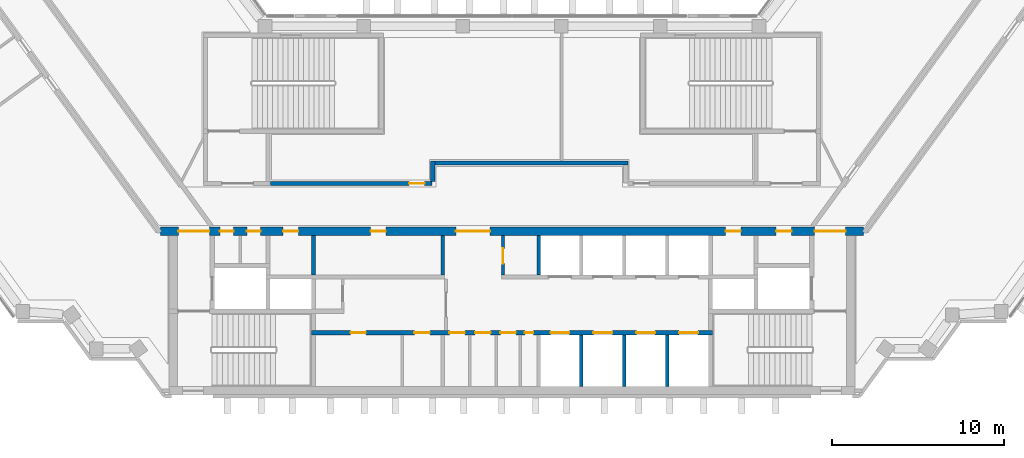
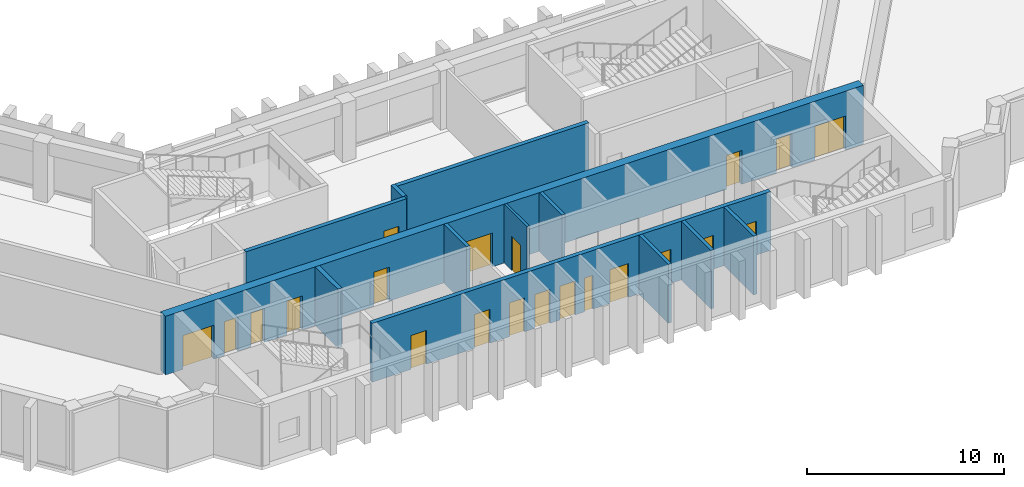
# One storey, part 5 of 10: 21 doors, 12 walls, 21 openings.
"""IFC4 building model written with IfcOpenShell, lengths in metres."""

import ifcopenshell
import ifcopenshell.guid

model = None  # the IFC model being written
_history = None  # IfcOwnerHistory: only IFC2X3 demands one
_inside = {}  # id of a spatial element -> (the spatial element, [elements in it])
_under = {}  # id of a project, library or spatial element -> (it, [spatial elements below it])
_declared = {}  # id of a project -> (the project, [libraries it declares])
_typed = {}  # id of a type object -> (the type object, [elements of that type])
_made_of = {}  # id of a material, layer set ... -> (it, [elements and type objects made of it])


def new_model(schema):
    """Start an empty IFC model of exactly this schema.

    Asked for "IFC4X3", IfcOpenShell would pick the latest addendum, in which some entities
    have other attributes; the version numbers below select the first issue.
    IFC2X3 requires an IfcOwnerHistory on every rooted entity: one is made here for all.
    """
    global model, _history
    if schema == "IFC4X3":
        model = ifcopenshell.file(schema_version=(4, 3, 0, 0))
    else:
        model = ifcopenshell.file(schema=schema)
    _inside.clear()
    _under.clear()
    _declared.clear()
    _typed.clear()
    _made_of.clear()
    _history = None
    if model.schema == "IFC2X3":
        org = make("IfcOrganization", Name="unknown")
        user = make(
            "IfcPersonAndOrganization",
            ThePerson=make("IfcPerson", FamilyName="unknown"),
            TheOrganization=org,
        )
        app = make(
            "IfcApplication",
            ApplicationDeveloper=org,
            Version="unknown",
            ApplicationFullName="unknown",
            ApplicationIdentifier="unknown",
        )
        _history = make(
            "IfcOwnerHistory",
            OwningUser=user,
            OwningApplication=app,
            ChangeAction="ADDED",
            CreationDate=0,
        )
    return model


def make(cls, **values):
    """One entity of the class cls with the attributes given. An attribute that is None is left unset."""
    return model.create_entity(
        cls, **{name: value for name, value in values.items() if value is not None}
    )


def rooted(cls, **values):
    """An entity with a GlobalId (a new one), such as an element, a storey or a relation."""
    return make(cls, GlobalId=ifcopenshell.guid.new(), OwnerHistory=_history, **values)


def si_unit(unit_type, name, prefix=None):
    """IfcSIUnit, for example si_unit("LENGTHUNIT", "METRE", prefix="MILLI")."""
    return make("IfcSIUnit", UnitType=unit_type, Prefix=prefix, Name=name)


def assignment(units):
    """IfcUnitAssignment: the units of a project."""
    return None if units is None else make("IfcUnitAssignment", Units=units)


def point(xyz):
    """IfcCartesianPoint."""
    return None if xyz is None else make("IfcCartesianPoint", Coordinates=xyz)


def direction(xyz):
    """IfcDirection."""
    return None if xyz is None else make("IfcDirection", DirectionRatios=xyz)


def frame(location, z_axis=None, x_axis=None):
    """IfcAxis2Placement3D, a coordinate frame: its origin and axes. An axis left out is left unset."""
    return make(
        "IfcAxis2Placement3D",
        Location=point(location),
        Axis=direction(z_axis),
        RefDirection=direction(x_axis),
    )


def frame_2d(location, x_axis=None):
    """IfcAxis2Placement2D, a coordinate frame in the plane: its origin and x axis."""
    return make(
        "IfcAxis2Placement2D", Location=point(location), RefDirection=direction(x_axis)
    )


def origin():
    """The frame at (0, 0, 0) with its axes left unset."""
    return frame((0.0, 0.0, 0.0))


def place(relative_to, where):
    """IfcLocalPlacement: puts the frame where relative to a parent placement (None: the world)."""
    return make(
        "IfcLocalPlacement", PlacementRelTo=relative_to, RelativePlacement=where
    )


def context(
    kind, dimensions, precision=None, world=None, true_north=None, identifier=None
):
    """IfcGeometricRepresentationContext, for example the 3D "Model" context."""
    return make(
        "IfcGeometricRepresentationContext",
        ContextIdentifier=identifier,
        ContextType=kind,
        CoordinateSpaceDimension=dimensions,
        Precision=precision,
        WorldCoordinateSystem=world,
        TrueNorth=true_north,
    )


def subcontext(parent, identifier, kind, view, scale=None):
    """IfcGeometricRepresentationSubContext, for example "Body" below "Model"."""
    return make(
        "IfcGeometricRepresentationSubContext",
        ContextIdentifier=identifier,
        ContextType=kind,
        ParentContext=parent,
        TargetScale=scale,
        TargetView=view,
    )


def project(units=None, contexts=None):
    """IfcProject with its units and contexts."""
    return rooted(
        "IfcProject",
        Name="project",
        RepresentationContexts=contexts,
        UnitsInContext=assignment(units),
    )


def spatial(cls, under=None, at=None, **own):
    """A site, building, storey or space (cls), placed at a placement, below another one or the project."""
    s = rooted(cls, ObjectPlacement=at, **own)
    if under is not None:
        _under.setdefault(under.id(), (under, []))[1].append(s)
    return s


def profile(cls, at=None, kind="AREA", **sizes):
    """A parametric profile (cls). Its sizes go by their IFC names, for example OverallWidth=200.0."""
    return make(cls, ProfileType=kind, Position=at, **sizes)


def rectangle(**sizes):
    """IfcRectangleProfileDef."""
    return profile("IfcRectangleProfileDef", **sizes)


def extrude(swept, where, along, depth):
    """IfcExtrudedAreaSolid: the profile swept, set in the frame where, extruded along a direction by depth."""
    return make(
        "IfcExtrudedAreaSolid",
        SweptArea=swept,
        Position=where,
        ExtrudedDirection=direction(along),
        Depth=depth,
    )


def shape(context_of_items, identifier, shape_type, items):
    """IfcShapeRepresentation: the items that make up one representation, for example the "Body"."""
    return make(
        "IfcShapeRepresentation",
        ContextOfItems=context_of_items,
        RepresentationIdentifier=identifier,
        RepresentationType=shape_type,
        Items=items,
    )


def material(Name=None, Category=None):
    """IfcMaterial."""
    return make("IfcMaterial", Name=Name, Category=Category)


def layer(
    of_material, thickness, ventilated=None, Name=None, Category=None, Priority=None
):
    """IfcMaterialLayer: one layer of a wall or slab, of a material (None: an air gap)."""
    return make(
        "IfcMaterialLayer",
        Material=of_material,
        LayerThickness=thickness,
        IsVentilated=ventilated,
        Name=Name,
        Category=Category,
        Priority=Priority,
    )


def layer_set(layers, Name=None):
    """IfcMaterialLayerSet."""
    return make("IfcMaterialLayerSet", MaterialLayers=layers, LayerSetName=Name)


def made_of(thing, what):
    """Note that an element or type object is made of a material, layer set ...; save() writes the relation."""
    if what is not None:
        _made_of.setdefault(what.id(), (what, []))[1].append(thing)
    return thing


def type_object(cls, material=None, **own):
    """A type object (cls), such as IfcWallType, which elements share."""
    return made_of(rooted(cls, **own), material)


def element(
    cls,
    number,
    at=None,
    inside=None,
    cuts=None,
    type_object=None,
    material=None,
    context=None,
    identifier="Body",
    shape_type=None,
    held_by="IfcProductDefinitionShape",
    body=None,
    shapes=None,
    **own,
):
    """One element of the class cls, such as IfcWall. Its Tag is "e" and its number.

    at: its placement. inside: the storey or other place that contains it. cuts: it is an
    opening in that element (IfcRelVoidsElement). A single representation is given by context,
    identifier, shape_type and body (its items); several are given by shapes. held_by: the class
    of the entity that holds the representations. save() writes the other relations.
    """
    e = rooted(cls, Tag="e%d" % number, ObjectPlacement=at, **own)
    if body is not None:
        shapes = [shape(context, identifier, shape_type, body)]
    if shapes is not None:
        e.Representation = make(held_by, Representations=shapes)
    if inside is not None:
        _inside.setdefault(inside.id(), (inside, []))[1].append(e)
    if cuts is not None:
        rooted(
            "IfcRelVoidsElement", RelatingBuildingElement=cuts, RelatedOpeningElement=e
        )
    if type_object is not None:
        _typed.setdefault(type_object.id(), (type_object, []))[1].append(e)
    return made_of(e, material)


def fill(opening, filler):
    """IfcRelFillsElement: the door or window that sits in an opening."""
    return rooted(
        "IfcRelFillsElement",
        RelatingOpeningElement=opening,
        RelatedBuildingElement=filler,
    )


def aggregate(whole, parts):
    """IfcRelAggregates: a whole, such as a stair, and the parts it consists of."""
    return rooted("IfcRelAggregates", RelatingObject=whole, RelatedObjects=parts)


def save(model, path):
    """Write the relations noted so far, then the file.

    IfcRelAggregates (storeys below a building ...), IfcRelContainedInSpatialStructure (elements
    in a storey), IfcRelDefinesByType, IfcRelAssociatesMaterial and IfcRelDeclares: one each for
    every whole, place, type object, material and project.
    """
    for whole, parts in _under.values():
        aggregate(whole, parts)
    for where, things in _inside.values():
        rooted(
            "IfcRelContainedInSpatialStructure",
            RelatedElements=things,
            RelatingStructure=where,
        )
    for kind, things in _typed.values():
        rooted("IfcRelDefinesByType", RelatedObjects=things, RelatingType=kind)
    for what, things in _made_of.values():
        rooted("IfcRelAssociatesMaterial", RelatedObjects=things, RelatingMaterial=what)
    for by, libraries in _declared.values():
        rooted("IfcRelDeclares", RelatingContext=by, RelatedDefinitions=libraries)
    model.write(path)


model = new_model("IFC4")

# Units and contexts
model_context = context("Model", 3, precision=1e-05, world=origin(), true_north=direction((0.0, 1.0)))
body_context = subcontext(model_context, "Body", "Model", "MODEL_VIEW")
ifc_project = project(units=[si_unit("LENGTHUNIT", "METRE"), si_unit("AREAUNIT", "SQUARE_METRE"), si_unit("VOLUMEUNIT", "CUBIC_METRE"), si_unit("PLANEANGLEUNIT", "RADIAN"), si_unit("MASSUNIT", "GRAM", prefix="KILO")], contexts=[model_context])

# Site, building, storey
site_placement = place(None, origin())
site = spatial("IfcSite", under=ifc_project, at=site_placement, CompositionType="ELEMENT")
building_placement = place(site_placement, origin())
building = spatial("IfcBuilding", under=site, at=building_placement, Name="Quipu Civic Tower", CompositionType="ELEMENT")
storey_placement = place(building_placement, frame((0.0, 0.0, 176.0)))
storey = spatial("IfcBuildingStorey", under=building, at=storey_placement, Name="L41", CompositionType="ELEMENT", Elevation=176.0)

# Wall, openings, doors
ifc_material_1 = material(Name="Concrete C70/85", Category="concrete")
ifc_layer_1 = layer(ifc_material_1, 0.25)
ifc_layer_set_1 = layer_set([ifc_layer_1], Name="Concrete C70/85")
wall_type_1 = type_object("IfcWallType", Name="Core wall 250", PredefinedType="SHEAR", material=ifc_layer_set_1)
wall_1_placement = place(storey_placement, frame((11.699951171875, -7.375, 0.0), z_axis=(0.0, 0.0, 1.0), x_axis=(-1.0, 0.0, 0.0)))
wall_1 = element("IfcWall", 1, at=wall_1_placement, inside=storey, type_object=wall_type_1, Name="Core wall", PredefinedType="SHEAR", context=body_context, shape_type="SweptSolid", body=[
    extrude(rectangle(XDim=23.39990234375, YDim=0.25, at=frame_2d((11.699951171875, 0.0))), origin(), (0.0, 0.0, 1.0), 3.64990234375),
])
opening_1_placement = place(wall_1_placement, frame((20.212890625, 0.0, 0.0)))
opening_1 = element("IfcOpeningElement", 2, at=opening_1_placement, cuts=wall_1, Name="Opening CD-01", PredefinedType="OPENING", context=body_context, shape_type="SweptSolid", body=[
    extrude(rectangle(XDim=0.89990234375, YDim=2.10009765625, at=frame_2d((0.449951171875, 1.050048828125))), frame((0.0, 0.135009765625, 0.0), z_axis=(0.0, -1.0, 0.0), x_axis=(1.0, 0.0, 0.0)), (0.0, 0.0, 1.0), 0.27001953125),
])
opening_2_placement = place(wall_1_placement, frame((16.488037109375, 0.0, 0.0)))
opening_2 = element("IfcOpeningElement", 3, at=opening_2_placement, cuts=wall_1, Name="Opening CD-02", PredefinedType="OPENING", context=body_context, shape_type="SweptSolid", body=[
    extrude(rectangle(XDim=0.89990234375, YDim=2.10009765625, at=frame_2d((0.449951171875, 1.050048828125))), frame((0.0, 0.135009765625, 0.0), z_axis=(0.0, -1.0, 0.0), x_axis=(1.0, 0.0, 0.0)), (0.0, 0.0, 1.0), 0.27001953125),
])
opening_3_placement = place(wall_1_placement, frame((14.449951171875, 0.0, 0.0)))
opening_3 = element("IfcOpeningElement", 4, at=opening_3_placement, cuts=wall_1, Name="Opening CD-03", PredefinedType="OPENING", context=body_context, shape_type="SweptSolid", body=[
    extrude(rectangle(XDim=0.89990234375, YDim=2.10009765625, at=frame_2d((0.449951171875, 1.050048828125))), frame((0.0, 0.135009765625, 0.0), z_axis=(0.0, -1.0, 0.0), x_axis=(1.0, 0.0, 0.0)), (0.0, 0.0, 1.0), 0.27001953125),
])
opening_4_placement = place(wall_1_placement, frame((12.949951171875, 0.0, 0.0)))
opening_4 = element("IfcOpeningElement", 5, at=opening_4_placement, cuts=wall_1, Name="Opening CD-04", PredefinedType="OPENING", context=body_context, shape_type="SweptSolid", body=[
    extrude(rectangle(XDim=0.89990234375, YDim=2.10009765625, at=frame_2d((0.449951171875, 1.050048828125))), frame((0.0, 0.135009765625, 0.0), z_axis=(0.0, -1.0, 0.0), x_axis=(1.0, 0.0, 0.0)), (0.0, 0.0, 1.0), 0.27001953125),
])
opening_5_placement = place(wall_1_placement, frame((11.47509765625, 0.0, 0.0)))
opening_5 = element("IfcOpeningElement", 6, at=opening_5_placement, cuts=wall_1, Name="Opening CD-05", PredefinedType="OPENING", context=body_context, shape_type="SweptSolid", body=[
    extrude(rectangle(XDim=0.89990234375, YDim=2.10009765625, at=frame_2d((0.449951171875, 1.050048828125))), frame((0.0, 0.135009765625, 0.0), z_axis=(0.0, -1.0, 0.0), x_axis=(1.0, 0.0, 0.0)), (0.0, 0.0, 1.0), 0.27001953125),
])
opening_6_placement = place(wall_1_placement, frame((10.449951171875, 0.0, 0.0)))
opening_6 = element("IfcOpeningElement", 7, at=opening_6_placement, cuts=wall_1, Name="Opening CD-06", PredefinedType="OPENING", context=body_context, shape_type="SweptSolid", body=[
    extrude(rectangle(XDim=0.5, YDim=2.10009765625, at=frame_2d((0.25, 1.050048828125))), frame((0.0, 0.135009765625, 0.0), z_axis=(0.0, -1.0, 0.0), x_axis=(1.0, 0.0, 0.0)), (0.0, 0.0, 1.0), 0.27001953125),
])
opening_7_placement = place(wall_1_placement, frame((8.35009765625, 0.0, 0.0)))
opening_7 = element("IfcOpeningElement", 8, at=opening_7_placement, cuts=wall_1, Name="Opening LD-ML1", PredefinedType="OPENING", context=body_context, shape_type="SweptSolid", body=[
    extrude(rectangle(XDim=1.10009765625, YDim=2.10009765625, at=frame_2d((0.550048828125, 1.050048828125))), frame((0.0, 0.135009765625, 0.0), z_axis=(0.0, -1.0, 0.0), x_axis=(1.0, 0.0, 0.0)), (0.0, 0.0, 1.0), 0.27001953125),
])
opening_8_placement = place(wall_1_placement, frame((5.85009765625, 0.0, 0.0)))
opening_8 = element("IfcOpeningElement", 9, at=opening_8_placement, cuts=wall_1, Name="Opening LD-ML2", PredefinedType="OPENING", context=body_context, shape_type="SweptSolid", body=[
    extrude(rectangle(XDim=1.10009765625, YDim=2.10009765625, at=frame_2d((0.550048828125, 1.050048828125))), frame((0.0, 0.135009765625, 0.0), z_axis=(0.0, -1.0, 0.0), x_axis=(1.0, 0.0, 0.0)), (0.0, 0.0, 1.0), 0.27001953125),
])
opening_9_placement = place(wall_1_placement, frame((3.35009765625, 0.0, 0.0)))
opening_9 = element("IfcOpeningElement", 10, at=opening_9_placement, cuts=wall_1, Name="Opening LD-ML3", PredefinedType="OPENING", context=body_context, shape_type="SweptSolid", body=[
    extrude(rectangle(XDim=1.10009765625, YDim=2.10009765625, at=frame_2d((0.550048828125, 1.050048828125))), frame((0.0, 0.135009765625, 0.0), z_axis=(0.0, -1.0, 0.0), x_axis=(1.0, 0.0, 0.0)), (0.0, 0.0, 1.0), 0.27001953125),
])
opening_10_placement = place(wall_1_placement, frame((0.85009765625, 0.0, 0.0)))
opening_10 = element("IfcOpeningElement", 11, at=opening_10_placement, cuts=wall_1, Name="Opening LD-ML4", PredefinedType="OPENING", context=body_context, shape_type="SweptSolid", body=[
    extrude(rectangle(XDim=1.10009765625, YDim=2.10009765625, at=frame_2d((0.550048828125, 1.050048828125))), frame((0.0, 0.135009765625, 0.0), z_axis=(0.0, -1.0, 0.0), x_axis=(1.0, 0.0, 0.0)), (0.0, 0.0, 1.0), 0.27001953125),
])
ifc_material_2 = material(Name="Fire rated steel door", Category="steel")
door_type_1 = type_object("IfcDoorType", Name="Fire door FD60 500 x 2100", OperationType="NOTDEFINED", PredefinedType="DOOR", material=ifc_material_2)
door_1_placement = place(opening_6_placement, origin())
door_1 = element("IfcDoor", 12, at=door_1_placement, inside=storey, type_object=door_type_1, Name="Door", OperationType="SINGLE_SWING_LEFT", OverallHeight=2.10009765625, OverallWidth=0.5, PredefinedType="DOOR", context=body_context, shape_type="SweptSolid", body=[
    extrude(rectangle(XDim=0.5, YDim=2.10009765625, at=frame_2d((0.25, 1.050048828125))), frame((0.0, 0.02490234375, 0.0), z_axis=(0.0, -1.0, 0.0), x_axis=(1.0, 0.0, 0.0)), (0.0, 0.0, 1.0), 0.050048828125),
])
fill(opening_6, door_1)
ifc_material_3 = material(Name="Fire rated steel door", Category="steel")
door_type_2 = type_object("IfcDoorType", Name="Fire door FD60 900 x 2100", OperationType="NOTDEFINED", PredefinedType="DOOR", material=ifc_material_3)
door_2_placement = place(opening_1_placement, origin())
door_2 = element("IfcDoor", 13, at=door_2_placement, inside=storey, type_object=door_type_2, Name="Door", OperationType="SINGLE_SWING_RIGHT", OverallHeight=2.10009765625, OverallWidth=0.89990234375, PredefinedType="DOOR", context=body_context, shape_type="SweptSolid", body=[
    extrude(rectangle(XDim=0.89990234375, YDim=2.10009765625, at=frame_2d((0.449951171875, 1.050048828125))), frame((0.0, 0.02490234375, 0.0), z_axis=(0.0, -1.0, 0.0), x_axis=(1.0, 0.0, 0.0)), (0.0, 0.0, 1.0), 0.050048828125),
])
fill(opening_1, door_2)
door_3_placement = place(opening_2_placement, origin())
door_3 = element("IfcDoor", 14, at=door_3_placement, inside=storey, type_object=door_type_2, Name="Door", OperationType="SINGLE_SWING_RIGHT", OverallHeight=2.10009765625, OverallWidth=0.89990234375, PredefinedType="DOOR", context=body_context, shape_type="SweptSolid", body=[
    extrude(rectangle(XDim=0.89990234375, YDim=2.10009765625, at=frame_2d((0.449951171875, 1.050048828125))), frame((0.0, 0.02490234375, 0.0), z_axis=(0.0, -1.0, 0.0), x_axis=(1.0, 0.0, 0.0)), (0.0, 0.0, 1.0), 0.050048828125),
])
fill(opening_2, door_3)
door_4_placement = place(opening_3_placement, origin())
door_4 = element("IfcDoor", 15, at=door_4_placement, inside=storey, type_object=door_type_2, Name="WC door", OperationType="SINGLE_SWING_RIGHT", OverallHeight=2.10009765625, OverallWidth=0.89990234375, PredefinedType="DOOR", context=body_context, shape_type="SweptSolid", body=[
    extrude(rectangle(XDim=0.89990234375, YDim=2.10009765625, at=frame_2d((0.449951171875, 1.050048828125))), frame((0.0, 0.02490234375, 0.0), z_axis=(0.0, -1.0, 0.0), x_axis=(1.0, 0.0, 0.0)), (0.0, 0.0, 1.0), 0.050048828125),
])
fill(opening_3, door_4)
door_5_placement = place(opening_4_placement, origin())
door_5 = element("IfcDoor", 16, at=door_5_placement, inside=storey, type_object=door_type_2, Name="WC door", OperationType="SINGLE_SWING_RIGHT", OverallHeight=2.10009765625, OverallWidth=0.89990234375, PredefinedType="DOOR", context=body_context, shape_type="SweptSolid", body=[
    extrude(rectangle(XDim=0.89990234375, YDim=2.10009765625, at=frame_2d((0.449951171875, 1.050048828125))), frame((0.0, 0.02490234375, 0.0), z_axis=(0.0, -1.0, 0.0), x_axis=(1.0, 0.0, 0.0)), (0.0, 0.0, 1.0), 0.050048828125),
])
fill(opening_4, door_5)
door_6_placement = place(opening_5_placement, origin())
door_6 = element("IfcDoor", 17, at=door_6_placement, inside=storey, type_object=door_type_2, Name="WC door", OperationType="SINGLE_SWING_RIGHT", OverallHeight=2.10009765625, OverallWidth=0.89990234375, PredefinedType="DOOR", context=body_context, shape_type="SweptSolid", body=[
    extrude(rectangle(XDim=0.89990234375, YDim=2.10009765625, at=frame_2d((0.449951171875, 1.050048828125))), frame((0.0, 0.02490234375, 0.0), z_axis=(0.0, -1.0, 0.0), x_axis=(1.0, 0.0, 0.0)), (0.0, 0.0, 1.0), 0.050048828125),
])
fill(opening_5, door_6)
ifc_material_4 = material(Name="Stainless steel", Category="steel")
door_type_3 = type_object("IfcDoorType", Name="Lift landing door 1100 x 2100", OperationType="DOUBLE_DOOR_SLIDING", PredefinedType="DOOR", material=ifc_material_4)
door_7_placement = place(opening_7_placement, origin())
door_7 = element("IfcDoor", 18, at=door_7_placement, inside=storey, type_object=door_type_3, Name="Landing door ML1", OperationType="DOUBLE_DOOR_SLIDING", OverallHeight=2.10009765625, OverallWidth=1.10009765625, PredefinedType="DOOR", context=body_context, shape_type="SweptSolid", body=[
    extrude(rectangle(XDim=1.10009765625, YDim=2.10009765625, at=frame_2d((0.550048828125, 1.050048828125))), frame((0.0, 0.02490234375, 0.0), z_axis=(0.0, -1.0, 0.0), x_axis=(1.0, 0.0, 0.0)), (0.0, 0.0, 1.0), 0.050048828125),
])
fill(opening_7, door_7)
door_8_placement = place(opening_8_placement, origin())
door_8 = element("IfcDoor", 19, at=door_8_placement, inside=storey, type_object=door_type_3, Name="Landing door ML2", OperationType="DOUBLE_DOOR_SLIDING", OverallHeight=2.10009765625, OverallWidth=1.10009765625, PredefinedType="DOOR", context=body_context, shape_type="SweptSolid", body=[
    extrude(rectangle(XDim=1.10009765625, YDim=2.10009765625, at=frame_2d((0.550048828125, 1.050048828125))), frame((0.0, 0.02490234375, 0.0), z_axis=(0.0, -1.0, 0.0), x_axis=(1.0, 0.0, 0.0)), (0.0, 0.0, 1.0), 0.050048828125),
])
fill(opening_8, door_8)
door_9_placement = place(opening_9_placement, origin())
door_9 = element("IfcDoor", 20, at=door_9_placement, inside=storey, type_object=door_type_3, Name="Landing door ML3", OperationType="DOUBLE_DOOR_SLIDING", OverallHeight=2.10009765625, OverallWidth=1.10009765625, PredefinedType="DOOR", context=body_context, shape_type="SweptSolid", body=[
    extrude(rectangle(XDim=1.10009765625, YDim=2.10009765625, at=frame_2d((0.550048828125, 1.050048828125))), frame((0.0, 0.02490234375, 0.0), z_axis=(0.0, -1.0, 0.0), x_axis=(1.0, 0.0, 0.0)), (0.0, 0.0, 1.0), 0.050048828125),
])
fill(opening_9, door_9)
door_10_placement = place(opening_10_placement, origin())
door_10 = element("IfcDoor", 21, at=door_10_placement, inside=storey, type_object=door_type_3, Name="Landing door ML4", OperationType="DOUBLE_DOOR_SLIDING", OverallHeight=2.10009765625, OverallWidth=1.10009765625, PredefinedType="DOOR", context=body_context, shape_type="SweptSolid", body=[
    extrude(rectangle(XDim=1.10009765625, YDim=2.10009765625, at=frame_2d((0.550048828125, 1.050048828125))), frame((0.0, 0.02490234375, 0.0), z_axis=(0.0, -1.0, 0.0), x_axis=(1.0, 0.0, 0.0)), (0.0, 0.0, 1.0), 0.050048828125),
])
fill(opening_10, door_10)

# Wall
wall_2_placement = place(storey_placement, frame((-11.574951171875, -4.0, 0.0), z_axis=(0.0, 0.0, 1.0), x_axis=(0.0, 1.0, 0.0)))
element("IfcWall", 22, at=wall_2_placement, inside=storey, type_object=wall_type_1, Name="Core wall", PredefinedType="SHEAR", context=body_context, shape_type="SweptSolid", body=[
    extrude(rectangle(XDim=2.300048828125, YDim=0.25, at=frame_2d((1.14990234375, 0.0))), origin(), (0.0, 0.0, 1.0), 3.64990234375),
])

# Wall, openings, doors
ifc_material_5 = material(Name="Concrete C70/85", Category="concrete")
ifc_layer_2 = layer(ifc_material_5, 0.5)
ifc_layer_set_2 = layer_set([ifc_layer_2], Name="Concrete C70/85")
wall_type_2 = type_object("IfcWallType", Name="Core wall 500", PredefinedType="SHEAR", material=ifc_layer_set_2)
wall_3_placement = place(storey_placement, frame((20.489990234375, -1.449951171875, 0.0), z_axis=(0.0, 0.0, 1.0), x_axis=(-1.0, 0.0, 0.0)))
wall_3 = element("IfcWall", 23, at=wall_3_placement, inside=storey, type_object=wall_type_2, Name="Core wall", PredefinedType="SHEAR", context=body_context, shape_type="SweptSolid", body=[
    extrude(rectangle(XDim=40.97998046875, YDim=0.5, at=frame_2d((20.489990234375, 0.0))), origin(), (0.0, 0.0, 1.0), 3.64990234375),
])
opening_11_placement = place(wall_3_placement, frame((38.139892578125, 0.0, 0.0)))
opening_11 = element("IfcOpeningElement", 24, at=opening_11_placement, cuts=wall_3, Name="Opening CD-12", PredefinedType="OPENING", context=body_context, shape_type="SweptSolid", body=[
    extrude(rectangle(XDim=1.800048828125, YDim=2.10009765625, at=frame_2d((0.89990234375, 1.050048828125))), frame((0.0, 0.260009765625, 0.0), z_axis=(0.0, -1.0, 0.0), x_axis=(1.0, 0.0, 0.0)), (0.0, 0.0, 1.0), 0.52001953125),
])
opening_12_placement = place(wall_3_placement, frame((36.7275390625, 0.0, 0.0)))
opening_12 = element("IfcOpeningElement", 25, at=opening_12_placement, cuts=wall_3, Name="Opening CD-13", PredefinedType="OPENING", context=body_context, shape_type="SweptSolid", body=[
    extrude(rectangle(XDim=0.800048828125, YDim=2.10009765625, at=frame_2d((0.39990234375, 1.050048828125))), frame((0.0, 0.260009765625, 0.0), z_axis=(0.0, -1.0, 0.0), x_axis=(1.0, 0.0, 0.0)), (0.0, 0.0, 1.0), 0.52001953125),
])
opening_13_placement = place(wall_3_placement, frame((35.152587890625, 0.0, 0.0)))
opening_13 = element("IfcOpeningElement", 26, at=opening_13_placement, cuts=wall_3, Name="Opening CD-14", PredefinedType="OPENING", context=body_context, shape_type="SweptSolid", body=[
    extrude(rectangle(XDim=0.800048828125, YDim=2.10009765625, at=frame_2d((0.39990234375, 1.050048828125))), frame((0.0, 0.260009765625, 0.0), z_axis=(0.0, -1.0, 0.0), x_axis=(1.0, 0.0, 0.0)), (0.0, 0.0, 1.0), 0.52001953125),
])
opening_14_placement = place(wall_3_placement, frame((32.93994140625, 0.0, 0.0)))
opening_14 = element("IfcOpeningElement", 27, at=opening_14_placement, cuts=wall_3, Name="Opening CD-15", PredefinedType="OPENING", context=body_context, shape_type="SweptSolid", body=[
    extrude(rectangle(XDim=0.89990234375, YDim=2.10009765625, at=frame_2d((0.449951171875, 1.050048828125))), frame((0.0, 0.260009765625, 0.0), z_axis=(0.0, -1.0, 0.0), x_axis=(1.0, 0.0, 0.0)), (0.0, 0.0, 1.0), 0.52001953125),
])
opening_15_placement = place(wall_3_placement, frame((27.840087890625, 0.0, 0.0)))
opening_15 = element("IfcOpeningElement", 28, at=opening_15_placement, cuts=wall_3, Name="Opening CD-16", PredefinedType="OPENING", context=body_context, shape_type="SweptSolid", body=[
    extrude(rectangle(XDim=0.89990234375, YDim=2.10009765625, at=frame_2d((0.449951171875, 1.050048828125))), frame((0.0, 0.260009765625, 0.0), z_axis=(0.0, -1.0, 0.0), x_axis=(1.0, 0.0, 0.0)), (0.0, 0.0, 1.0), 0.52001953125),
])
opening_16_placement = place(wall_3_placement, frame((21.764892578125, 0.0, 0.0)))
opening_16 = element("IfcOpeningElement", 29, at=opening_16_placement, cuts=wall_3, Name="Opening CD-17", PredefinedType="OPENING", context=body_context, shape_type="SweptSolid", body=[
    extrude(rectangle(XDim=2.0, YDim=2.10009765625, at=frame_2d((1.0, 1.050048828125))), frame((0.0, 0.260009765625, 0.0), z_axis=(0.0, -1.0, 0.0), x_axis=(1.0, 0.0, 0.0)), (0.0, 0.0, 1.0), 0.52001953125),
])
opening_17_placement = place(wall_3_placement, frame((7.139892578125, 0.0, 0.0)))
opening_17 = element("IfcOpeningElement", 30, at=opening_17_placement, cuts=wall_3, Name="Opening CD-18", PredefinedType="OPENING", context=body_context, shape_type="SweptSolid", body=[
    extrude(rectangle(XDim=0.89990234375, YDim=2.10009765625, at=frame_2d((0.449951171875, 1.050048828125))), frame((0.0, 0.260009765625, 0.0), z_axis=(0.0, -1.0, 0.0), x_axis=(1.0, 0.0, 0.0)), (0.0, 0.0, 1.0), 0.52001953125),
])
opening_18_placement = place(wall_3_placement, frame((4.18994140625, 0.0, 0.0)))
opening_18 = element("IfcOpeningElement", 31, at=opening_18_placement, cuts=wall_3, Name="Opening CD-19", PredefinedType="OPENING", context=body_context, shape_type="SweptSolid", body=[
    extrude(rectangle(XDim=0.89990234375, YDim=2.10009765625, at=frame_2d((0.449951171875, 1.050048828125))), frame((0.0, 0.260009765625, 0.0), z_axis=(0.0, -1.0, 0.0), x_axis=(1.0, 0.0, 0.0)), (0.0, 0.0, 1.0), 0.52001953125),
])
opening_19_placement = place(wall_3_placement, frame((1.0400390625, 0.0, 0.0)))
opening_19 = element("IfcOpeningElement", 32, at=opening_19_placement, cuts=wall_3, Name="Opening CD-20", PredefinedType="OPENING", context=body_context, shape_type="SweptSolid", body=[
    extrude(rectangle(XDim=1.800048828125, YDim=2.10009765625, at=frame_2d((0.89990234375, 1.050048828125))), frame((0.0, 0.260009765625, 0.0), z_axis=(0.0, -1.0, 0.0), x_axis=(1.0, 0.0, 0.0)), (0.0, 0.0, 1.0), 0.52001953125),
])
ifc_material_6 = material(Name="Fire rated steel door", Category="steel")
door_type_4 = type_object("IfcDoorType", Name="Fire door FD60 800 x 2100", OperationType="NOTDEFINED", PredefinedType="DOOR", material=ifc_material_6)
door_11_placement = place(opening_12_placement, origin())
door_11 = element("IfcDoor", 33, at=door_11_placement, inside=storey, type_object=door_type_4, Name="Door", OperationType="SINGLE_SWING_RIGHT", OverallHeight=2.10009765625, OverallWidth=0.800048828125, PredefinedType="DOOR", context=body_context, shape_type="SweptSolid", body=[
    extrude(rectangle(XDim=0.800048828125, YDim=2.10009765625, at=frame_2d((0.39990234375, 1.050048828125))), frame((0.0, 0.02490234375, 0.0), z_axis=(0.0, -1.0, 0.0), x_axis=(1.0, 0.0, 0.0)), (0.0, 0.0, 1.0), 0.050048828125),
])
fill(opening_12, door_11)
door_12_placement = place(opening_13_placement, origin())
door_12 = element("IfcDoor", 34, at=door_12_placement, inside=storey, type_object=door_type_4, Name="Door", OperationType="SINGLE_SWING_RIGHT", OverallHeight=2.10009765625, OverallWidth=0.800048828125, PredefinedType="DOOR", context=body_context, shape_type="SweptSolid", body=[
    extrude(rectangle(XDim=0.800048828125, YDim=2.10009765625, at=frame_2d((0.39990234375, 1.050048828125))), frame((0.0, 0.02490234375, 0.0), z_axis=(0.0, -1.0, 0.0), x_axis=(1.0, 0.0, 0.0)), (0.0, 0.0, 1.0), 0.050048828125),
])
fill(opening_13, door_12)
door_13_placement = place(opening_14_placement, origin())
door_13 = element("IfcDoor", 35, at=door_13_placement, inside=storey, type_object=door_type_2, Name="Riser door", OperationType="SINGLE_SWING_RIGHT", OverallHeight=2.10009765625, OverallWidth=0.89990234375, PredefinedType="DOOR", context=body_context, shape_type="SweptSolid", body=[
    extrude(rectangle(XDim=0.89990234375, YDim=2.10009765625, at=frame_2d((0.449951171875, 1.050048828125))), frame((0.0, 0.02490234375, 0.0), z_axis=(0.0, -1.0, 0.0), x_axis=(1.0, 0.0, 0.0)), (0.0, 0.0, 1.0), 0.050048828125),
])
fill(opening_14, door_13)
door_14_placement = place(opening_15_placement, origin())
door_14 = element("IfcDoor", 36, at=door_14_placement, inside=storey, type_object=door_type_2, Name="Door", OperationType="SINGLE_SWING_RIGHT", OverallHeight=2.10009765625, OverallWidth=0.89990234375, PredefinedType="DOOR", context=body_context, shape_type="SweptSolid", body=[
    extrude(rectangle(XDim=0.89990234375, YDim=2.10009765625, at=frame_2d((0.449951171875, 1.050048828125))), frame((0.0, 0.02490234375, 0.0), z_axis=(0.0, -1.0, 0.0), x_axis=(1.0, 0.0, 0.0)), (0.0, 0.0, 1.0), 0.050048828125),
])
fill(opening_15, door_14)
door_15_placement = place(opening_17_placement, origin())
door_15 = element("IfcDoor", 37, at=door_15_placement, inside=storey, type_object=door_type_2, Name="Riser door", OperationType="SINGLE_SWING_LEFT", OverallHeight=2.10009765625, OverallWidth=0.89990234375, PredefinedType="DOOR", context=body_context, shape_type="SweptSolid", body=[
    extrude(rectangle(XDim=0.89990234375, YDim=2.10009765625, at=frame_2d((0.449951171875, 1.050048828125))), frame((0.0, 0.02490234375, 0.0), z_axis=(0.0, -1.0, 0.0), x_axis=(1.0, 0.0, 0.0)), (0.0, 0.0, 1.0), 0.050048828125),
])
fill(opening_17, door_15)
door_16_placement = place(opening_18_placement, origin())
door_16 = element("IfcDoor", 38, at=door_16_placement, inside=storey, type_object=door_type_2, Name="Door", OperationType="SINGLE_SWING_LEFT", OverallHeight=2.10009765625, OverallWidth=0.89990234375, PredefinedType="DOOR", context=body_context, shape_type="SweptSolid", body=[
    extrude(rectangle(XDim=0.89990234375, YDim=2.10009765625, at=frame_2d((0.449951171875, 1.050048828125))), frame((0.0, 0.02490234375, 0.0), z_axis=(0.0, -1.0, 0.0), x_axis=(1.0, 0.0, 0.0)), (0.0, 0.0, 1.0), 0.050048828125),
])
fill(opening_18, door_16)
ifc_material_7 = material(Name="Fire rated steel door", Category="steel")
door_type_5 = type_object("IfcDoorType", Name="Fire door FD90 double 1800 x 2100", OperationType="NOTDEFINED", PredefinedType="DOOR", material=ifc_material_7)
door_17_placement = place(opening_11_placement, origin())
door_17 = element("IfcDoor", 39, at=door_17_placement, inside=storey, type_object=door_type_5, Name="Lobby door", OperationType="DOUBLE_DOOR_SINGLE_SWING", OverallHeight=2.10009765625, OverallWidth=1.800048828125, PredefinedType="DOOR", context=body_context, shape_type="SweptSolid", body=[
    extrude(rectangle(XDim=1.800048828125, YDim=2.10009765625, at=frame_2d((0.89990234375, 1.050048828125))), frame((0.0, 0.02490234375, 0.0), z_axis=(0.0, -1.0, 0.0), x_axis=(1.0, 0.0, 0.0)), (0.0, 0.0, 1.0), 0.050048828125),
])
fill(opening_11, door_17)
door_18_placement = place(opening_19_placement, origin())
door_18 = element("IfcDoor", 40, at=door_18_placement, inside=storey, type_object=door_type_5, Name="Lobby door", OperationType="DOUBLE_DOOR_SINGLE_SWING", OverallHeight=2.10009765625, OverallWidth=1.800048828125, PredefinedType="DOOR", context=body_context, shape_type="SweptSolid", body=[
    extrude(rectangle(XDim=1.800048828125, YDim=2.10009765625, at=frame_2d((0.89990234375, 1.050048828125))), frame((0.0, 0.02490234375, 0.0), z_axis=(0.0, -1.0, 0.0), x_axis=(1.0, 0.0, 0.0)), (0.0, 0.0, 1.0), 0.050048828125),
])
fill(opening_19, door_18)
ifc_material_8 = material(Name="Fire rated steel door", Category="steel")
door_type_6 = type_object("IfcDoorType", Name="Fire door FD90 double 2000 x 2100", OperationType="NOTDEFINED", PredefinedType="DOOR", material=ifc_material_8)
door_19_placement = place(opening_16_placement, origin())
door_19 = element("IfcDoor", 41, at=door_19_placement, inside=storey, type_object=door_type_6, Name="Lobby door", OperationType="DOUBLE_DOOR_SINGLE_SWING", OverallHeight=2.10009765625, OverallWidth=2.0, PredefinedType="DOOR", context=body_context, shape_type="SweptSolid", body=[
    extrude(rectangle(XDim=2.0, YDim=2.10009765625, at=frame_2d((1.0, 1.050048828125))), frame((0.0, 0.02490234375, 0.0), z_axis=(0.0, -1.0, 0.0), x_axis=(1.0, 0.0, 0.0)), (0.0, 0.0, 1.0), 0.050048828125),
])
fill(opening_16, door_19)

# Wall, opening, door
ifc_material_9 = material(Name="Concrete C50/60", Category="concrete")
ifc_layer_3 = layer(ifc_material_9, 0.25)
ifc_layer_set_3 = layer_set([ifc_layer_3], Name="Concrete C50/60")
wall_type_3 = type_object("IfcWallType", Name="Corridor wall 250 concrete", PredefinedType="SOLIDWALL", material=ifc_layer_set_3)
wall_4_placement = place(storey_placement, frame((-14.090087890625, 1.324951171875, 0.0), z_axis=(0.0, 0.0, 1.0), x_axis=(1.0, 0.0, 0.0)))
wall_4 = element("IfcWall", 42, at=wall_4_placement, inside=storey, type_object=wall_type_3, Name="Corridor wall C07", PredefinedType="SOLIDWALL", context=body_context, shape_type="SweptSolid", body=[
    extrude(rectangle(XDim=9.431396484375, YDim=0.25, at=frame_2d((4.7158203125, 0.0))), origin(), (0.0, 0.0, 1.0), 3.64990234375),
])
opening_20_placement = place(wall_4_placement, frame((8.090087890625, 0.0, 0.0)))
opening_20 = element("IfcOpeningElement", 43, at=opening_20_placement, cuts=wall_4, Name="Opening D007", PredefinedType="OPENING", context=body_context, shape_type="SweptSolid", body=[
    extrude(rectangle(XDim=0.89990234375, YDim=2.10009765625, at=frame_2d((0.449951171875, 1.050048828125))), frame((0.0, 0.135009765625, 0.0), z_axis=(0.0, -1.0, 0.0), x_axis=(1.0, 0.0, 0.0)), (0.0, 0.0, 1.0), 0.27001953125),
])
ifc_material_10 = material(Name="Fire rated timber door set with metal frame", Category="wood")
door_type_7 = type_object("IfcDoorType", Name="Single door 900 x 2100 FD60", OperationType="NOTDEFINED", PredefinedType="DOOR", material=ifc_material_10)
door_20_placement = place(opening_20_placement, origin())
door_20 = element("IfcDoor", 44, at=door_20_placement, inside=storey, type_object=door_type_7, Name="Door D007", OperationType="SINGLE_SWING_RIGHT", OverallHeight=2.10009765625, OverallWidth=0.89990234375, PredefinedType="DOOR", context=body_context, shape_type="SweptSolid", body=[
    extrude(rectangle(XDim=0.89990234375, YDim=2.10009765625, at=frame_2d((0.449951171875, 1.050048828125))), frame((0.0, 0.02490234375, 0.0), z_axis=(0.0, -1.0, 0.0), x_axis=(1.0, 0.0, 0.0)), (0.0, 0.0, 1.0), 0.050048828125),
])
fill(opening_20, door_20)

# Walls
wall_5_placement = place(storey_placement, frame((-4.625, 1.45361328125, 0.0), z_axis=(0.0, 0.0, 1.0), x_axis=(0.0, 1.0, 0.0)))
element("IfcWall", 45, at=wall_5_placement, inside=storey, type_object=wall_type_3, Name="Corridor wall C08", PredefinedType="SOLIDWALL", context=body_context, shape_type="SweptSolid", body=[
    extrude(rectangle(XDim=1.1962890625, YDim=0.25, at=frame_2d((0.59814453125, 0.0))), origin(), (0.0, 0.0, 1.0), 3.64990234375),
])
wall_6_placement = place(storey_placement, frame((-4.5, 2.52490234375, 0.0), z_axis=(0.0, 0.0, 1.0), x_axis=(1.0, 0.0, 0.0)))
element("IfcWall", 46, at=wall_6_placement, inside=storey, type_object=wall_type_3, Name="Corridor wall C09", PredefinedType="SOLIDWALL", context=body_context, shape_type="SweptSolid", body=[
    extrude(rectangle(XDim=11.25, YDim=0.25, at=frame_2d((5.625, 0.0))), origin(), (0.0, 0.0, 1.0), 3.64990234375),
])

# Wall, opening, door
ifc_material_11 = material(Name="Gypsum board partition")
ifc_layer_4 = layer(ifc_material_11, 0.14990234375)
ifc_layer_set_4 = layer_set([ifc_layer_4], Name="Gypsum board partition")
wall_type_4 = type_object("IfcWallType", Name="Partition 150", PredefinedType="PARTITIONING", material=ifc_layer_set_4)
wall_7_placement = place(storey_placement, frame((-0.52490234375, -4.0, 0.0), z_axis=(0.0, 0.0, 1.0), x_axis=(0.0, 1.0, 0.0)))
wall_7 = element("IfcWall", 47, at=wall_7_placement, inside=storey, type_object=wall_type_4, Name="Partition", PredefinedType="PARTITIONING", context=body_context, shape_type="SweptSolid", body=[
    extrude(rectangle(XDim=2.300048828125, YDim=0.14990234375, at=frame_2d((1.14990234375, 0.0))), origin(), (0.0, 0.0, 1.0), 3.64990234375),
])
opening_21_placement = place(wall_7_placement, frame((0.64990234375, 0.0, 0.0)))
opening_21 = element("IfcOpeningElement", 48, at=opening_21_placement, cuts=wall_7, Name="Opening CD-11", PredefinedType="OPENING", context=body_context, shape_type="SweptSolid", body=[
    extrude(rectangle(XDim=0.89990234375, YDim=2.10009765625, at=frame_2d((0.449951171875, 1.050048828125))), frame((0.0, 0.0849609375, 0.0), z_axis=(0.0, -1.0, 0.0), x_axis=(1.0, 0.0, 0.0)), (0.0, 0.0, 1.0), 0.169921875),
])
door_21_placement = place(opening_21_placement, origin())
door_21 = element("IfcDoor", 49, at=door_21_placement, inside=storey, type_object=door_type_2, Name="WC door", OperationType="SINGLE_SWING_LEFT", OverallHeight=2.10009765625, OverallWidth=0.89990234375, PredefinedType="DOOR", context=body_context, shape_type="SweptSolid", body=[
    extrude(rectangle(XDim=0.89990234375, YDim=2.10009765625, at=frame_2d((0.449951171875, 1.050048828125))), frame((0.0, 0.02490234375, 0.0), z_axis=(0.0, -1.0, 0.0), x_axis=(1.0, 0.0, 0.0)), (0.0, 0.0, 1.0), 0.050048828125),
])
fill(opening_21, door_21)

# Walls
ifc_material_12 = material(Name="Concrete C40/50", Category="concrete")
ifc_layer_5 = layer(ifc_material_12, 0.199951171875)
ifc_layer_set_5 = layer_set([ifc_layer_5], Name="Concrete C40/50")
wall_type_5 = type_object("IfcWallType", Name="Shaft wall 200", PredefinedType="SOLIDWALL", material=ifc_layer_set_5)
for number, where, z_axis, x_axis, name in (
    (50, (4.050048828125, -10.5, 0.0), (0.0, 0.0, 1.0), (0.0, 1.0, 0.0), "Shaft wall"),
    (51, (6.550048828125, -10.5, 0.0), (0.0, 0.0, 1.0), (0.0, 1.0, 0.0), "Shaft wall"),
    (52, (9.050048828125, -10.5, 0.0), (0.0, 0.0, 1.0), (0.0, 1.0, 0.0), "Shaft wall"),
):
    element("IfcWall", number, at=place(storey_placement, frame(where, z_axis=z_axis, x_axis=x_axis)), inside=storey, type_object=wall_type_5, Name=name, PredefinedType="SOLIDWALL", context=body_context, shape_type="SweptSolid", body=[
        extrude(rectangle(XDim=3.0, YDim=0.199951171875, at=frame_2d((1.5, 0.0))), origin(), (0.0, 0.0, 1.0), 3.64990234375),
    ])
for number, where, z_axis, x_axis, name in (
    (53, (-4.050048828125, -4.0, 0.0), (0.0, 0.0, 1.0), (0.0, 1.0, 0.0), "Shaft wall"),
    (54, (1.550048828125, -4.0, 0.0), (0.0, 0.0, 1.0), (0.0, 1.0, 0.0), "Shaft wall"),
):
    element("IfcWall", number, at=place(storey_placement, frame(where, z_axis=z_axis, x_axis=x_axis)), inside=storey, type_object=wall_type_5, Name=name, PredefinedType="SOLIDWALL", context=body_context, shape_type="SweptSolid", body=[
        extrude(rectangle(XDim=2.300048828125, YDim=0.199951171875, at=frame_2d((1.14990234375, 0.0))), origin(), (0.0, 0.0, 1.0), 3.64990234375),
    ])

save(model, "model.ifc")
